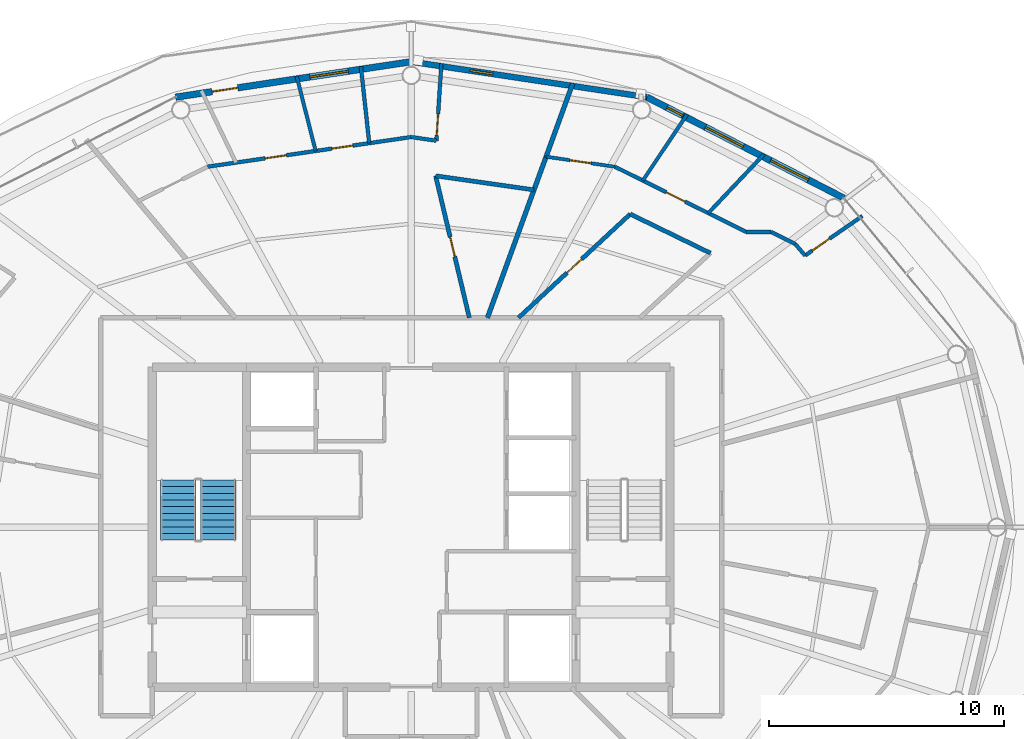
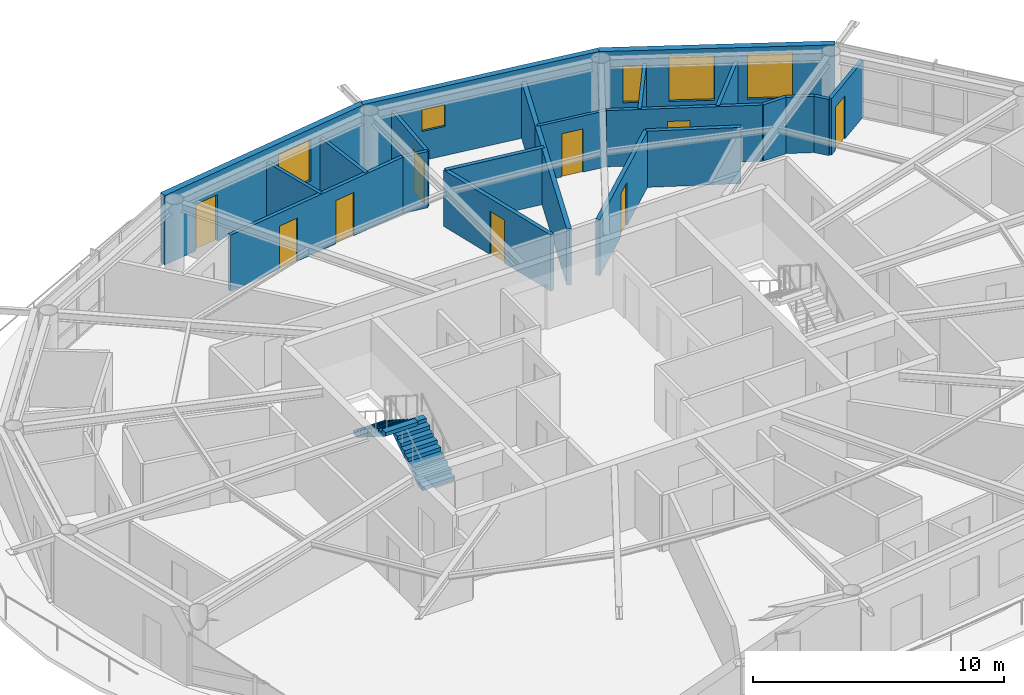
# One storey, part 19 of 23: 22 walls, 9 doors, 5 windows, 2 stair flights, 14 openings, 1 element without a shape of its own.
"""IFC4 building model written with IfcOpenShell, lengths in metres."""

from ifc_helpers import new_model, si_unit, direction, frame, frame_2d, origin, place, context, subcontext, project, spatial, polyline, rectangle, outline, extrude, material, layer, layer_set, type_object, element, fill, aggregate, save


model = new_model("IFC4")

# Units and contexts
model_context = context("Model", 3, precision=1e-05, world=origin(), true_north=direction((0.0, 1.0)))
body_context = subcontext(model_context, "Body", "Model", "MODEL_VIEW")
ifc_project = project(units=[si_unit("LENGTHUNIT", "METRE"), si_unit("AREAUNIT", "SQUARE_METRE"), si_unit("VOLUMEUNIT", "CUBIC_METRE"), si_unit("PLANEANGLEUNIT", "RADIAN"), si_unit("MASSUNIT", "GRAM", prefix="KILO")], contexts=[model_context])

# Site, building, storey
site_placement = place(None, origin())
site = spatial("IfcSite", under=ifc_project, at=site_placement, CompositionType="ELEMENT")
building_placement = place(site_placement, origin())
building = spatial("IfcBuilding", under=site, at=building_placement, Name="Sarneth Arch Tower", CompositionType="ELEMENT")
storey_placement = place(building_placement, frame((0.0, 0.0, 269.39990234375)))
storey = spatial("IfcBuildingStorey", under=building, at=storey_placement, Name="L69", CompositionType="ELEMENT", Elevation=269.39990234375)

# Wall, opening, window
ifc_material_1 = material(Name="Extruded terracotta rainscreen on Concrete C40/50 backing", Category="masonry")
ifc_layer_1 = layer(ifc_material_1, 0.25)
ifc_layer_set_1 = layer_set([ifc_layer_1], Name="Extruded terracotta rainscreen on Concrete C40/50 backing")
wall_type_1 = type_object("IfcWallType", Name="WALL-EXT-SPAND-250", PredefinedType="SOLIDWALL", material=ifc_layer_set_1)
wall_1_placement = place(storey_placement, frame((58.0126953125, 60.2744140625, 0.0), z_axis=(0.0, 0.0, 1.0), x_axis=(-0.988882522213, 0.148698881169, 0.0)))
wall_1 = element("IfcWall", 1, at=wall_1_placement, inside=storey, type_object=wall_type_1, Name="L69 Terracotta perimeter wall 04", PredefinedType="SOLIDWALL", context=body_context, shape_type="SweptSolid", body=[
    extrude(rectangle(XDim=10.125244140625, YDim=0.25, at=frame_2d((5.0625, 0.0))), origin(), (0.0, 0.0, 1.0), 3.3701171875),
])
opening_1_placement = place(wall_1_placement, frame((6.614013671875, 0.0, 1.419921875)))
opening_1 = element("IfcOpeningElement", 2, at=opening_1_placement, cuts=wall_1, Name="Opening W-14", PredefinedType="OPENING", context=body_context, shape_type="SweptSolid", body=[
    extrude(rectangle(XDim=1.0, YDim=1.050048828125, at=frame_2d((0.5, 0.52490234375))), frame((0.0, 0.135009765625, 0.0), z_axis=(0.0, -1.0, 0.0), x_axis=(1.0, 0.0, 0.0)), (0.0, 0.0, 1.0), 0.27001953125),
])
ifc_material_2 = material(Name="Thermally broken Aluminium 6063-T6 and low-e laminated IGU", Category="aluminium")
window_type_1 = type_object("IfcWindowType", Name="WIN-TWR-1000x1050", PartitioningType="SINGLE_PANEL", PredefinedType="WINDOW", material=ifc_material_2)
window_1_placement = place(opening_1_placement, origin())
window_1 = element("IfcWindow", 3, at=window_1_placement, inside=storey, type_object=window_type_1, Name="L69 Dwelling bedroom window 02", OverallHeight=1.050048828125, OverallWidth=1.0, PartitioningType="SINGLE_PANEL", PredefinedType="WINDOW", context=body_context, shape_type="SweptSolid", body=[
    extrude(rectangle(XDim=1.0, YDim=1.050048828125, at=frame_2d((0.5, 0.52490234375))), frame((0.0, 0.030029296875, 0.0), z_axis=(0.0, -1.0, 0.0), x_axis=(1.0, 0.0, 0.0)), (0.0, 0.0, 1.0), 0.06005859375),
])
fill(opening_1, window_1)

# Wall, openings, windows
ifc_material_3 = material(Name="Extruded terracotta rainscreen on Concrete C40/50 backing", Category="masonry")
ifc_layer_2 = layer(ifc_material_3, 0.280029296875)
ifc_layer_set_2 = layer_set([ifc_layer_2], Name="Extruded terracotta rainscreen on Concrete C40/50 backing")
wall_type_2 = type_object("IfcWallType", Name="WALL-EXT-TERRA-280", PredefinedType="SOLIDWALL", material=ifc_layer_set_2)
wall_2_placement = place(storey_placement, frame((66.382568359375, 55.986572265625, 0.0), z_axis=(0.0, 0.0, 1.0), x_axis=(-0.890007394051, 0.455946091699, 0.0)))
wall_2 = element("IfcWall", 4, at=wall_2_placement, inside=storey, type_object=wall_type_2, Name="L69 Terracotta perimeter wall 03", PredefinedType="SOLIDWALL", context=body_context, shape_type="SweptSolid", body=[
    extrude(rectangle(XDim=9.404296875, YDim=0.280029296875, at=frame_2d((4.7021484375, 0.0))), origin(), (0.0, 0.0, 1.0), 3.3701171875),
])
opening_2_placement = place(wall_2_placement, frame((1.6962890625, 0.0, 0.85009765625)))
opening_2 = element("IfcOpeningElement", 5, at=opening_2_placement, cuts=wall_2, Name="Opening W-04", PredefinedType="OPENING", context=body_context, shape_type="SweptSolid", body=[
    extrude(rectangle(XDim=1.800048828125, YDim=2.199951171875, at=frame_2d((0.89990234375, 1.10009765625))), frame((0.0, 0.14990234375, 0.0), z_axis=(0.0, -1.0, 0.0), x_axis=(1.0, 0.0, 0.0)), (0.0, 0.0, 1.0), 0.300048828125),
])
opening_3_placement = place(wall_2_placement, frame((4.808837890625, 0.0, 0.85009765625)))
opening_3 = element("IfcOpeningElement", 6, at=opening_3_placement, cuts=wall_2, Name="Opening W-04", PredefinedType="OPENING", context=body_context, shape_type="SweptSolid", body=[
    extrude(rectangle(XDim=1.800048828125, YDim=2.199951171875, at=frame_2d((0.89990234375, 1.10009765625))), frame((0.0, 0.14990234375, 0.0), z_axis=(0.0, -1.0, 0.0), x_axis=(1.0, 0.0, 0.0)), (0.0, 0.0, 1.0), 0.300048828125),
])
opening_4_placement = place(wall_2_placement, frame((7.690673828125, 0.0, 0.85009765625)))
opening_4 = element("IfcOpeningElement", 7, at=opening_4_placement, cuts=wall_2, Name="Opening W-13", PredefinedType="OPENING", context=body_context, shape_type="SweptSolid", body=[
    extrude(rectangle(XDim=0.75, YDim=1.800048828125, at=frame_2d((0.375, 0.89990234375))), frame((0.0, 0.14990234375, 0.0), z_axis=(0.0, -1.0, 0.0), x_axis=(1.0, 0.0, 0.0)), (0.0, 0.0, 1.0), 0.300048828125),
])
ifc_material_4 = material(Name="Thermally broken Aluminium 6063-T6 and low-e laminated IGU", Category="aluminium")
window_type_2 = type_object("IfcWindowType", Name="WIN-TWR-1800x2200", PartitioningType="DOUBLE_PANEL_VERTICAL", PredefinedType="WINDOW", material=ifc_material_4)
window_2_placement = place(opening_2_placement, origin())
window_2 = element("IfcWindow", 8, at=window_2_placement, inside=storey, type_object=window_type_2, Name="L69 Exterior window 03A", OverallHeight=2.199951171875, OverallWidth=1.800048828125, PartitioningType="SINGLE_PANEL", PredefinedType="WINDOW", context=body_context, shape_type="SweptSolid", body=[
    extrude(rectangle(XDim=1.800048828125, YDim=2.199951171875, at=frame_2d((0.89990234375, 1.10009765625))), frame((0.0, 0.030029296875, 0.0), z_axis=(0.0, -1.0, 0.0), x_axis=(1.0, 0.0, 0.0)), (0.0, 0.0, 1.0), 0.06005859375),
])
fill(opening_2, window_2)
window_3_placement = place(opening_3_placement, origin())
window_3 = element("IfcWindow", 9, at=window_3_placement, inside=storey, type_object=window_type_2, Name="L69 Exterior window 03B", OverallHeight=2.199951171875, OverallWidth=1.800048828125, PartitioningType="SINGLE_PANEL", PredefinedType="WINDOW", context=body_context, shape_type="SweptSolid", body=[
    extrude(rectangle(XDim=1.800048828125, YDim=2.199951171875, at=frame_2d((0.89990234375, 1.10009765625))), frame((0.0, 0.030029296875, 0.0), z_axis=(0.0, -1.0, 0.0), x_axis=(1.0, 0.0, 0.0)), (0.0, 0.0, 1.0), 0.06005859375),
])
fill(opening_3, window_3)
ifc_material_5 = material(Name="Thermally broken Aluminium 6063-T6 and low-e laminated IGU", Category="aluminium")
window_type_3 = type_object("IfcWindowType", Name="WIN-TWR-750x1800", PartitioningType="SINGLE_PANEL", PredefinedType="WINDOW", material=ifc_material_5)
window_4_placement = place(opening_4_placement, origin())
window_4 = element("IfcWindow", 10, at=window_4_placement, inside=storey, type_object=window_type_3, Name="L69 Dwelling bedroom window 01", OverallHeight=1.800048828125, OverallWidth=0.75, PartitioningType="SINGLE_PANEL", PredefinedType="WINDOW", context=body_context, shape_type="SweptSolid", body=[
    extrude(rectangle(XDim=0.75, YDim=1.800048828125, at=frame_2d((0.375, 0.89990234375))), frame((0.0, 0.030029296875, 0.0), z_axis=(0.0, -1.0, 0.0), x_axis=(1.0, 0.0, 0.0)), (0.0, 0.0, 1.0), 0.06005859375),
])
fill(opening_4, window_4)

# Wall, openings, door, window
wall_3_placement = place(storey_placement, frame((48.0, 61.780029296875, 0.0), z_axis=(0.0, 0.0, 1.0), x_axis=(-0.988882522213, -0.148698881169, 0.0)))
wall_3 = element("IfcWall", 11, at=wall_3_placement, inside=storey, type_object=wall_type_2, Name="L69 Terracotta perimeter wall 05", PredefinedType="SOLIDWALL", context=body_context, shape_type="SweptSolid", body=[
    extrude(rectangle(XDim=10.125244140625, YDim=0.280029296875, at=frame_2d((5.0625, 0.0))), origin(), (0.0, 0.0, 1.0), 3.3701171875),
])
opening_5_placement = place(wall_3_placement, frame((2.7001953125, 0.0, 0.85009765625)))
opening_5 = element("IfcOpeningElement", 12, at=opening_5_placement, cuts=wall_3, Name="Opening W-05", PredefinedType="OPENING", context=body_context, shape_type="SweptSolid", body=[
    extrude(rectangle(XDim=1.64990234375, YDim=2.0, at=frame_2d((0.824951171875, 1.0))), frame((0.0, 0.14990234375, 0.0), z_axis=(0.0, -1.0, 0.0), x_axis=(1.0, 0.0, 0.0)), (0.0, 0.0, 1.0), 0.300048828125),
])
opening_6_placement = place(wall_3_placement, frame((7.45556640625, 0.0, 0.0)))
opening_6 = element("IfcOpeningElement", 13, at=opening_6_placement, cuts=wall_3, Name="Opening BD-3", PredefinedType="OPENING", context=body_context, shape_type="SweptSolid", body=[
    extrude(rectangle(XDim=1.10009765625, YDim=2.25, at=frame_2d((0.550048828125, 1.125))), frame((0.0, 0.14990234375, 0.0), z_axis=(0.0, -1.0, 0.0), x_axis=(1.0, 0.0, 0.0)), (0.0, 0.0, 1.0), 0.300048828125),
])
ifc_material_6 = material(Name="Thermally broken Aluminium 6063-T6 and laminated safety glass", Category="aluminium")
door_type_1 = type_object("IfcDoorType", Name="DR-BALC-GLZ-1100", OperationType="SINGLE_SWING_LEFT", PredefinedType="DOOR", material=ifc_material_6)
door_1_placement = place(opening_6_placement, origin())
door_1 = element("IfcDoor", 14, at=door_1_placement, inside=storey, type_object=door_type_1, Name="L69 Balcony glazed door 05", OperationType="SINGLE_SWING_LEFT", OverallHeight=2.25, OverallWidth=1.10009765625, PredefinedType="DOOR", context=body_context, shape_type="SweptSolid", body=[
    extrude(rectangle(XDim=1.10009765625, YDim=2.25, at=frame_2d((0.550048828125, 1.125))), frame((0.0, 0.02490234375, 0.0), z_axis=(0.0, -1.0, 0.0), x_axis=(1.0, 0.0, 0.0)), (0.0, 0.0, 1.0), 0.050048828125),
])
fill(opening_6, door_1)
ifc_material_7 = material(Name="Thermally broken Aluminium 6063-T6 and low-e laminated IGU", Category="aluminium")
window_type_4 = type_object("IfcWindowType", Name="WIN-TWR-1650x2000", PartitioningType="DOUBLE_PANEL_VERTICAL", PredefinedType="WINDOW", material=ifc_material_7)
window_5_placement = place(opening_5_placement, origin())
window_5 = element("IfcWindow", 15, at=window_5_placement, inside=storey, type_object=window_type_4, Name="L69 Exterior window 05A", OverallHeight=2.0, OverallWidth=1.64990234375, PartitioningType="SINGLE_PANEL", PredefinedType="WINDOW", context=body_context, shape_type="SweptSolid", body=[
    extrude(rectangle(XDim=1.64990234375, YDim=2.0, at=frame_2d((0.824951171875, 1.0))), frame((0.0, 0.030029296875, 0.0), z_axis=(0.0, -1.0, 0.0), x_axis=(1.0, 0.0, 0.0)), (0.0, 0.0, 1.0), 0.06005859375),
])
fill(opening_5, window_5)

# Wall, opening, door
ifc_material_8 = material(Name="Apartment internal stud partition", Category="gypsum")
ifc_layer_3 = layer(ifc_material_8, 0.139892578125)
ifc_layer_set_3 = layer_set([ifc_layer_3], Name="Apartment internal stud partition")
wall_type_3 = type_object("IfcWallType", Name="WALL-PART-140", PredefinedType="PARTITIONING", material=ifc_layer_set_3)
wall_4_placement = place(storey_placement, frame((53.73046875, 57.744384765625, 0.0), z_axis=(0.0, 0.0, 1.0), x_axis=(0.989530523264, -0.144323745545, 0.0)))
wall_4 = element("IfcWall", 16, at=wall_4_placement, inside=storey, type_object=wall_type_3, Name="L69 Interior partition W-L69-TP-033", PredefinedType="PARTITIONING", context=body_context, shape_type="SweptSolid", body=[
    extrude(rectangle(XDim=2.955322265625, YDim=0.139892578125, at=frame_2d((1.4775390625, 0.0))), origin(), (0.0, 0.0, 1.0), 2.72998046875),
])
opening_7_placement = place(wall_4_placement, frame((1.027587890625, 0.0, 0.0)))
opening_7 = element("IfcOpeningElement", 17, at=opening_7_placement, cuts=wall_4, Name="Opening ID-01", PredefinedType="OPENING", context=body_context, shape_type="SweptSolid", body=[
    extrude(rectangle(XDim=0.89990234375, YDim=2.10009765625, at=frame_2d((0.449951171875, 1.050048828125))), frame((0.0, 0.079833984375, 0.0), z_axis=(0.0, -1.0, 0.0), x_axis=(1.0, 0.0, 0.0)), (0.0, 0.0, 1.0), 0.159912109375),
])
ifc_material_9 = material(Name="Engineered hardwood flush door", Category="wood")
door_type_2 = type_object("IfcDoorType", Name="DR-INT-900", OperationType="SINGLE_SWING_LEFT", PredefinedType="DOOR", material=ifc_material_9)
door_2_placement = place(opening_7_placement, origin())
door_2 = element("IfcDoor", 18, at=door_2_placement, inside=storey, type_object=door_type_2, Name="L69 Interior door DR-L69-U1-BED2", OperationType="SINGLE_SWING_LEFT", OverallHeight=2.10009765625, OverallWidth=0.89990234375, PredefinedType="DOOR", context=body_context, shape_type="SweptSolid", body=[
    extrude(rectangle(XDim=0.89990234375, YDim=2.10009765625, at=frame_2d((0.449951171875, 1.050048828125))), frame((0.0, 0.02490234375, 0.0), z_axis=(0.0, -1.0, 0.0), x_axis=(1.0, 0.0, 0.0)), (0.0, 0.0, 1.0), 0.050048828125),
])
fill(opening_7, door_2)

# Walls
ifc_material_10 = material(Name="Acoustic gypsum stud partition", Category="gypsum")
ifc_layer_4 = layer(ifc_material_10, 0.14990234375)
ifc_layer_set_4 = layer_set([ifc_layer_4], Name="Acoustic gypsum stud partition")
wall_type_4 = type_object("IfcWallType", Name="WALL-PART-150", PredefinedType="PARTITIONING", material=ifc_layer_set_4)
wall_5_placement = place(storey_placement, frame((59.716796875, 59.535400390625, 0.0), z_axis=(0.0, 0.0, 1.0), x_axis=(-0.555567743092, -0.831471276013, 0.0)))
element("IfcWall", 19, at=wall_5_placement, inside=storey, type_object=wall_type_4, Name="L69 Interior partition W-L69-TP-040", PredefinedType="PARTITIONING", context=body_context, shape_type="SweptSolid", body=[
    extrude(rectangle(XDim=3.375732421875, YDim=0.14990234375, at=frame_2d((1.68798828125, 0.0))), origin(), (0.0, 0.0, 1.0), 2.72998046875),
])
wall_6_placement = place(storey_placement, frame((43.131591796875, 61.168701171875, 0.0), z_axis=(0.0, 0.0, 1.0), x_axis=(0.246087289335, -0.969247670117, 0.0)))
element("IfcWall", 20, at=wall_6_placement, inside=storey, type_object=wall_type_4, Name="L69 Interior partition W-L69-TP-053", PredefinedType="PARTITIONING", context=body_context, shape_type="SweptSolid", body=[
    extrude(rectangle(XDim=3.28173828125, YDim=0.14990234375, at=frame_2d((1.640869140625, 0.0))), origin(), (0.0, 0.0, 1.0), 2.72998046875),
])

# Wall, openings, doors
ifc_material_11 = material(Name="Kitchen wet service chase wall", Category="gypsum")
ifc_layer_5 = layer(ifc_material_11, 0.159912109375)
ifc_layer_set_5 = layer_set([ifc_layer_5], Name="Kitchen wet service chase wall")
wall_type_5 = type_object("IfcWallType", Name="WALL-PLUMB-160", PredefinedType="PLUMBINGWALL", material=ifc_layer_set_5)
wall_7_placement = place(storey_placement, frame((39.34521484375, 57.318115234375, 0.0), z_axis=(0.0, 0.0, 1.0), x_axis=(0.989536136377, 0.144285254977, 0.0)))
wall_7 = element("IfcWall", 21, at=wall_7_placement, inside=storey, type_object=wall_type_5, Name="L69 Interior partition W-L69-TP-048", PredefinedType="PLUMBINGWALL", context=body_context, shape_type="SweptSolid", body=[
    extrude(rectangle(XDim=8.746337890625, YDim=0.159912109375, at=frame_2d((4.373046875, 0.0))), origin(), (0.0, 0.0, 1.0), 2.72998046875),
])
opening_8_placement = place(wall_7_placement, frame((2.4814453125, 0.0, 0.0)))
opening_8 = element("IfcOpeningElement", 22, at=opening_8_placement, cuts=wall_7, Name="Opening ID-01", PredefinedType="OPENING", context=body_context, shape_type="SweptSolid", body=[
    extrude(rectangle(XDim=0.89990234375, YDim=2.10009765625, at=frame_2d((0.449951171875, 1.050048828125))), frame((0.0, 0.08984375, 0.0), z_axis=(0.0, -1.0, 0.0), x_axis=(1.0, 0.0, 0.0)), (0.0, 0.0, 1.0), 0.179931640625),
])
opening_9_placement = place(wall_7_placement, frame((5.343505859375, 0.0, 0.0)))
opening_9 = element("IfcOpeningElement", 23, at=opening_9_placement, cuts=wall_7, Name="Opening ID-01", PredefinedType="OPENING", context=body_context, shape_type="SweptSolid", body=[
    extrude(rectangle(XDim=0.89990234375, YDim=2.10009765625, at=frame_2d((0.449951171875, 1.050048828125))), frame((0.0, 0.08984375, 0.0), z_axis=(0.0, -1.0, 0.0), x_axis=(1.0, 0.0, 0.0)), (0.0, 0.0, 1.0), 0.179931640625),
])
door_3_placement = place(opening_8_placement, origin())
door_3 = element("IfcDoor", 24, at=door_3_placement, inside=storey, type_object=door_type_2, Name="L69 Interior door DR-L69-U2-BED2", OperationType="SINGLE_SWING_RIGHT", OverallHeight=2.10009765625, OverallWidth=0.89990234375, PredefinedType="DOOR", context=body_context, shape_type="SweptSolid", body=[
    extrude(rectangle(XDim=0.89990234375, YDim=2.10009765625, at=frame_2d((0.449951171875, 1.050048828125))), frame((0.0, 0.02490234375, 0.0), z_axis=(0.0, -1.0, 0.0), x_axis=(1.0, 0.0, 0.0)), (0.0, 0.0, 1.0), 0.050048828125),
])
fill(opening_8, door_3)
door_4_placement = place(opening_9_placement, origin())
door_4 = element("IfcDoor", 25, at=door_4_placement, inside=storey, type_object=door_type_2, Name="L69 Interior door DR-L69-U2-BED1", OperationType="SINGLE_SWING_LEFT", OverallHeight=2.10009765625, OverallWidth=0.89990234375, PredefinedType="DOOR", context=body_context, shape_type="SweptSolid", body=[
    extrude(rectangle(XDim=0.89990234375, YDim=2.10009765625, at=frame_2d((0.449951171875, 1.050048828125))), frame((0.0, 0.02490234375, 0.0), z_axis=(0.0, -1.0, 0.0), x_axis=(1.0, 0.0, 0.0)), (0.0, 0.0, 1.0), 0.050048828125),
])
fill(opening_9, door_4)

# Wall
wall_8_placement = place(storey_placement, frame((60.623046875, 55.3466796875, 0.0), z_axis=(0.0, 0.0, 1.0), x_axis=(0.687190766796, 0.726477012734, 0.0)))
element("IfcWall", 26, at=wall_8_placement, inside=storey, type_object=wall_type_5, Name="L69 Interior partition W-L69-TP-039", PredefinedType="PLUMBINGWALL", context=body_context, shape_type="SweptSolid", body=[
    extrude(rectangle(XDim=3.448974609375, YDim=0.159912109375, at=frame_2d((1.724609375, 0.0))), origin(), (0.0, 0.0, 1.0), 2.72998046875),
])

# Wall, opening, door
wall_9_placement = place(storey_placement, frame((49.282958984375, 61.7080078125, 0.0), z_axis=(0.0, 0.0, 1.0), x_axis=(-0.064987599341, -0.997886071619, 0.0)))
wall_9 = element("IfcWall", 27, at=wall_9_placement, inside=storey, type_object=wall_type_5, Name="L69 Interior partition W-L69-TP-042", PredefinedType="PLUMBINGWALL", context=body_context, shape_type="SweptSolid", body=[
    extrude(rectangle(XDim=3.290771484375, YDim=0.159912109375, at=frame_2d((1.6455078125, 0.0))), origin(), (0.0, 0.0, 1.0), 2.72998046875),
])
opening_10_placement = place(wall_9_placement, frame((2.155517578125, 0.0, 0.0)))
opening_10 = element("IfcOpeningElement", 28, at=opening_10_placement, cuts=wall_9, Name="Opening ID-01", PredefinedType="OPENING", context=body_context, shape_type="SweptSolid", body=[
    extrude(rectangle(XDim=0.89990234375, YDim=2.10009765625, at=frame_2d((0.449951171875, 1.050048828125))), frame((0.0, 0.08984375, 0.0), z_axis=(0.0, -1.0, 0.0), x_axis=(1.0, 0.0, 0.0)), (0.0, 0.0, 1.0), 0.179931640625),
])
door_5_placement = place(opening_10_placement, origin())
door_5 = element("IfcDoor", 29, at=door_5_placement, inside=storey, type_object=door_type_2, Name="L69 Interior door DR-L69-U2-KIT", OperationType="SINGLE_SWING_RIGHT", OverallHeight=2.10009765625, OverallWidth=0.89990234375, PredefinedType="DOOR", context=body_context, shape_type="SweptSolid", body=[
    extrude(rectangle(XDim=0.89990234375, YDim=2.10009765625, at=frame_2d((0.449951171875, 1.050048828125))), frame((0.0, 0.02490234375, 0.0), z_axis=(0.0, -1.0, 0.0), x_axis=(1.0, 0.0, 0.0)), (0.0, 0.0, 1.0), 0.050048828125),
])
fill(opening_10, door_5)

# Wall
wall_10_placement = place(storey_placement, frame((46.217041015625, 58.320068359375, 0.0), z_axis=(0.0, 0.0, 1.0), x_axis=(-0.108559889868, 0.994089910577, 0.0)))
element("IfcWall", 30, at=wall_10_placement, inside=storey, type_object=wall_type_5, Name="L69 Interior partition W-L69-TP-052", PredefinedType="PLUMBINGWALL", context=body_context, shape_type="SweptSolid", body=[
    extrude(rectangle(XDim=3.27880859375, YDim=0.159912109375, at=frame_2d((1.639404296875, 0.0))), origin(), (0.0, 0.0, 1.0), 2.72998046875),
])

# Wall, opening, door
wall_11_placement = place(storey_placement, frame((56.655029296875, 57.318115234375, 0.0), z_axis=(0.0, 0.0, 1.0), x_axis=(0.89555447129, -0.444951895099, 0.0)))
wall_11 = element("IfcWall", 31, at=wall_11_placement, inside=storey, type_object=wall_type_5, Name="L69 Interior partition W-L69-TP-032", PredefinedType="PLUMBINGWALL", context=body_context, shape_type="SweptSolid", body=[
    extrude(rectangle(XDim=6.2216796875, YDim=0.159912109375, at=frame_2d((3.11083984375, 0.0))), origin(), (0.0, 0.0, 1.0), 2.72998046875),
])
opening_11_placement = place(wall_11_placement, frame((2.428466796875, 0.0, 0.0)))
opening_11 = element("IfcOpeningElement", 32, at=opening_11_placement, cuts=wall_11, Name="Opening ID-01", PredefinedType="OPENING", context=body_context, shape_type="SweptSolid", body=[
    extrude(rectangle(XDim=0.89990234375, YDim=2.10009765625, at=frame_2d((0.449951171875, 1.050048828125))), frame((0.0, 0.08984375, 0.0), z_axis=(0.0, -1.0, 0.0), x_axis=(1.0, 0.0, 0.0)), (0.0, 0.0, 1.0), 0.179931640625),
])
door_6_placement = place(opening_11_placement, origin())
door_6 = element("IfcDoor", 33, at=door_6_placement, inside=storey, type_object=door_type_2, Name="L69 Interior door DR-L69-U1-BED1", OperationType="SINGLE_SWING_RIGHT", OverallHeight=2.10009765625, OverallWidth=0.89990234375, PredefinedType="DOOR", context=body_context, shape_type="SweptSolid", body=[
    extrude(rectangle(XDim=0.89990234375, YDim=2.10009765625, at=frame_2d((0.449951171875, 1.050048828125))), frame((0.0, 0.02490234375, 0.0), z_axis=(0.0, -1.0, 0.0), x_axis=(1.0, 0.0, 0.0)), (0.0, 0.0, 1.0), 0.050048828125),
])
fill(opening_11, door_6)

wall_12_placement = place(storey_placement, frame((67.168701171875, 55.22412109375, 0.0), z_axis=(0.0, 0.0, 1.0), x_axis=(-0.823115625857, -0.567873812101, 0.0)))
wall_12 = element("IfcWall", 34, at=wall_12_placement, inside=storey, type_object=wall_type_5, Name="L69 Interior partition W-L69-TP-024", PredefinedType="PLUMBINGWALL", context=body_context, shape_type="SweptSolid", body=[
    extrude(rectangle(XDim=2.95654296875, YDim=0.159912109375, at=frame_2d((1.478271484375, 0.0))), origin(), (0.0, 0.0, 1.0), 2.72998046875),
])
opening_12_placement = place(wall_12_placement, frame((1.688232421875, 0.0, 0.0)))
opening_12 = element("IfcOpeningElement", 35, at=opening_12_placement, cuts=wall_12, Name="Opening ID-01", PredefinedType="OPENING", context=body_context, shape_type="SweptSolid", body=[
    extrude(rectangle(XDim=0.89990234375, YDim=2.10009765625, at=frame_2d((0.449951171875, 1.050048828125))), frame((0.0, 0.08984375, 0.0), z_axis=(0.0, -1.0, 0.0), x_axis=(1.0, 0.0, 0.0)), (0.0, 0.0, 1.0), 0.179931640625),
])
door_7_placement = place(opening_12_placement, origin())
door_7 = element("IfcDoor", 36, at=door_7_placement, inside=storey, type_object=door_type_2, Name="L69 Interior door DR-L69-U1-KIT", OperationType="SINGLE_SWING_RIGHT", OverallHeight=2.10009765625, OverallWidth=0.89990234375, PredefinedType="DOOR", context=body_context, shape_type="SweptSolid", body=[
    extrude(rectangle(XDim=0.89990234375, YDim=2.10009765625, at=frame_2d((0.449951171875, 1.050048828125))), frame((0.0, 0.02490234375, 0.0), z_axis=(0.0, -1.0, 0.0), x_axis=(1.0, 0.0, 0.0)), (0.0, 0.0, 1.0), 0.050048828125),
])
fill(opening_12, door_7)

# Walls
wall_13_placement = place(storey_placement, frame((64.31103515625, 54.0419921875, 0.0), z_axis=(0.0, 0.0, 1.0), x_axis=(-0.895409226325, 0.445244109912, 0.0)))
element("IfcWall", 37, at=wall_13_placement, inside=storey, type_object=wall_type_5, Name="L69 Interior partition W-L69-TP-026", PredefinedType="PLUMBINGWALL", context=body_context, shape_type="SweptSolid", body=[
    extrude(rectangle(XDim=1.14111328125, YDim=0.159912109375, at=frame_2d((0.570556640625, 0.0))), origin(), (0.0, 0.0, 1.0), 2.72998046875),
])
wall_14_placement = place(storey_placement, frame((49.069091796875, 58.424072265625, 0.0), z_axis=(0.0, 0.0, 1.0), x_axis=(-0.989520204584, 0.144394476074, 0.0)))
element("IfcWall", 38, at=wall_14_placement, inside=storey, type_object=wall_type_5, Name="L69 Interior partition W-L69-TP-043", PredefinedType="PLUMBINGWALL", context=body_context, shape_type="SweptSolid", body=[
    extrude(rectangle(XDim=1.080322265625, YDim=0.159912109375, at=frame_2d((0.5400390625, 0.0))), origin(), (0.0, 0.0, 1.0), 2.72998046875),
])
wall_15_placement = place(storey_placement, frame((63.289306640625, 54.550048828125, 0.0), z_axis=(0.0, 0.0, 1.0), x_axis=(-1.0, 0.0, 0.0)))
element("IfcWall", 39, at=wall_15_placement, inside=storey, type_object=wall_type_5, Name="L69 Interior partition W-L69-TP-027", PredefinedType="PLUMBINGWALL", context=body_context, shape_type="SweptSolid", body=[
    extrude(rectangle(XDim=1.0625, YDim=0.159912109375, at=frame_2d((0.53125, 0.0))), origin(), (0.0, 0.0, 1.0), 2.72998046875),
])
wall_16_placement = place(storey_placement, frame((64.735107421875, 53.545166015625, 0.0), z_axis=(0.0, 0.0, 1.0), x_axis=(-0.649220192727, 0.760600513644, 0.0)))
element("IfcWall", 40, at=wall_16_placement, inside=storey, type_object=wall_type_5, Name="L69 Interior partition W-L69-TP-025", PredefinedType="PLUMBINGWALL", context=body_context, shape_type="SweptSolid", body=[
    extrude(rectangle(XDim=0.6533203125, YDim=0.159912109375, at=frame_2d((0.32666015625, 0.0))), origin(), (0.0, 0.0, 1.0), 2.72998046875),
])

# Wall, opening, door
ifc_material_12 = material(Name="Moisture-resistant plumbing chase wall", Category="gypsum")
ifc_layer_6 = layer(ifc_material_12, 0.179931640625)
ifc_layer_set_6 = layer_set([ifc_layer_6], Name="Moisture-resistant plumbing chase wall")
wall_type_6 = type_object("IfcWallType", Name="WALL-PLUMB-180", PredefinedType="PLUMBINGWALL", material=ifc_layer_set_6)
wall_17_placement = place(storey_placement, frame((52.557861328125, 50.89990234375, 0.0), z_axis=(0.0, 0.0, 1.0), x_axis=(0.732849863846, 0.68039038578, 0.0)))
wall_17 = element("IfcWall", 41, at=wall_17_placement, inside=storey, type_object=wall_type_6, Name="L69 Interior partition W-L69-TP-029", PredefinedType="PLUMBINGWALL", context=body_context, shape_type="SweptSolid", body=[
    extrude(rectangle(XDim=6.478271484375, YDim=0.179931640625, at=frame_2d((3.2392578125, 0.0))), origin(), (0.0, 0.0, 1.0), 2.72998046875),
])
opening_13_placement = place(wall_17_placement, frame((2.81396484375, 0.0, 0.0)))
opening_13 = element("IfcOpeningElement", 42, at=opening_13_placement, cuts=wall_17, Name="Opening ID-02", PredefinedType="OPENING", context=body_context, shape_type="SweptSolid", body=[
    extrude(rectangle(XDim=0.85009765625, YDim=2.10009765625, at=frame_2d((0.425048828125, 1.050048828125))), frame((0.0, 0.099853515625, 0.0), z_axis=(0.0, -1.0, 0.0), x_axis=(1.0, 0.0, 0.0)), (0.0, 0.0, 1.0), 0.199951171875),
])
ifc_material_13 = material(Name="Moisture-resistant bathroom timber door", Category="wood")
door_type_3 = type_object("IfcDoorType", Name="DR-INT-850", OperationType="SINGLE_SWING_RIGHT", PredefinedType="DOOR", material=ifc_material_13)
door_8_placement = place(opening_13_placement, origin())
door_8 = element("IfcDoor", 43, at=door_8_placement, inside=storey, type_object=door_type_3, Name="L69 Interior door DR-L69-U1-BATH", OperationType="SINGLE_SWING_LEFT", OverallHeight=2.10009765625, OverallWidth=0.85009765625, PredefinedType="DOOR", context=body_context, shape_type="SweptSolid", body=[
    extrude(rectangle(XDim=0.85009765625, YDim=2.10009765625, at=frame_2d((0.425048828125, 1.050048828125))), frame((0.0, 0.02490234375, 0.0), z_axis=(0.0, -1.0, 0.0), x_axis=(1.0, 0.0, 0.0)), (0.0, 0.0, 1.0), 0.050048828125),
])
fill(opening_13, door_8)

wall_18_placement = place(storey_placement, frame((50.46923828125, 50.89990234375, 0.0), z_axis=(0.0, 0.0, 1.0), x_axis=(-0.231121823084, 0.972924818727, 0.0)))
wall_18 = element("IfcWall", 44, at=wall_18_placement, inside=storey, type_object=wall_type_6, Name="L69 Interior partition W-L69-TP-045", PredefinedType="PLUMBINGWALL", context=body_context, shape_type="SweptSolid", body=[
    extrude(rectangle(XDim=6.19970703125, YDim=0.179931640625, at=frame_2d((3.099853515625, 0.0))), origin(), (0.0, 0.0, 1.0), 2.72998046875),
])
opening_14_placement = place(wall_18_placement, frame((2.6748046875, 0.0, 0.0)))
opening_14 = element("IfcOpeningElement", 45, at=opening_14_placement, cuts=wall_18, Name="Opening ID-02", PredefinedType="OPENING", context=body_context, shape_type="SweptSolid", body=[
    extrude(rectangle(XDim=0.85009765625, YDim=2.10009765625, at=frame_2d((0.425048828125, 1.050048828125))), frame((0.0, 0.099853515625, 0.0), z_axis=(0.0, -1.0, 0.0), x_axis=(1.0, 0.0, 0.0)), (0.0, 0.0, 1.0), 0.199951171875),
])
door_9_placement = place(opening_14_placement, origin())
door_9 = element("IfcDoor", 46, at=door_9_placement, inside=storey, type_object=door_type_3, Name="L69 Interior door DR-L69-U2-BATH", OperationType="SINGLE_SWING_LEFT", OverallHeight=2.10009765625, OverallWidth=0.85009765625, PredefinedType="DOOR", context=body_context, shape_type="SweptSolid", body=[
    extrude(rectangle(XDim=0.85009765625, YDim=2.10009765625, at=frame_2d((0.425048828125, 1.050048828125))), frame((0.0, 0.02490234375, 0.0), z_axis=(0.0, -1.0, 0.0), x_axis=(1.0, 0.0, 0.0)), (0.0, 0.0, 1.0), 0.050048828125),
])
fill(opening_14, door_9)

# Walls
wall_19_placement = place(storey_placement, frame((49.036376953125, 56.931640625, 0.0), z_axis=(0.0, 0.0, 1.0), x_axis=(0.989927514161, -0.141575127434, 0.0)))
element("IfcWall", 47, at=wall_19_placement, inside=storey, type_object=wall_type_6, Name="L69 Interior partition W-L69-TP-046", PredefinedType="PLUMBINGWALL", context=body_context, shape_type="SweptSolid", body=[
    extrude(rectangle(XDim=4.22314453125, YDim=0.179931640625, at=frame_2d((2.111572265625, 0.0))), origin(), (0.0, 0.0, 1.0), 2.72998046875),
])
wall_20_placement = place(storey_placement, frame((57.305419921875, 55.3076171875, 0.0), z_axis=(0.0, 0.0, 1.0), x_axis=(0.898917645735, -0.438117639667, 0.0)))
element("IfcWall", 48, at=wall_20_placement, inside=storey, type_object=wall_type_6, Name="L69 Interior partition W-L69-TP-030", PredefinedType="PLUMBINGWALL", context=body_context, shape_type="SweptSolid", body=[
    extrude(rectangle(XDim=3.788818359375, YDim=0.179931640625, at=frame_2d((1.89453125, 0.0))), origin(), (0.0, 0.0, 1.0), 2.72998046875),
])
ifc_material_14 = material(Name="Double steel-stud acoustic drywall", Category="steel")
ifc_layer_7 = layer(ifc_material_14, 0.199951171875)
ifc_layer_set_7 = layer_set([ifc_layer_7], Name="Double steel-stud acoustic drywall")
wall_type_7 = type_object("IfcWallType", Name="WALL-UNIT-200", PredefinedType="PARTITIONING", material=ifc_layer_set_7)
wall_21_placement = place(storey_placement, frame((51.2392578125, 50.89990234375, 0.0), z_axis=(0.0, 0.0, 1.0), x_axis=(0.342027045015, 0.939690108748, 0.0)))
element("IfcWall", 49, at=wall_21_placement, inside=storey, type_object=wall_type_7, Name="L69 Interior partition W-L69-TP-036", PredefinedType="PARTITIONING", context=body_context, shape_type="SweptSolid", body=[
    extrude(rectangle(XDim=7.31640625, YDim=0.199951171875, at=frame_2d((3.658203125, 0.0))), origin(), (0.0, 0.0, 1.0), 2.72998046875),
])
wall_22_placement = place(storey_placement, frame((54.86669921875, 60.866455078125, 0.0), z_axis=(0.0, 0.0, 1.0), x_axis=(-0.342000121366, -0.939699907942, 0.0)))
element("IfcWall", 50, at=wall_22_placement, inside=storey, type_object=wall_type_7, Name="L69 Interior partition W-L69-TP-041", PredefinedType="PARTITIONING", context=body_context, shape_type="SweptSolid", body=[
    extrude(rectangle(XDim=3.355224609375, YDim=0.199951171875, at=frame_2d((1.677734375, 0.0))), origin(), (0.0, 0.0, 1.0), 2.72998046875),
])

# Stair, stair flights
ifc_material_15 = material(Name="Concrete C50/60", Category="concrete")
stair_type = type_object("IfcStairType", Name="STAIR-CORE-RC", PredefinedType="HALF_TURN_STAIR", material=ifc_material_15)
stair_placement = place(storey_placement, origin())
stair = element("IfcStair", 51, at=stair_placement, inside=storey, type_object=stair_type, Name="L69 Core Exit Stair 1", PredefinedType="HALF_TURN_STAIR")
ifc_material_16 = material(Name="Concrete C50/60", Category="concrete")
stair_flight_type = type_object("IfcStairFlightType", Name="FLIGHT-RC-1500", PredefinedType="STRAIGHT", material=ifc_material_16)
stair_flight_1_placement = place(storey_placement, frame((39.800048828125, 41.449951171875, 0.0), z_axis=(0.0, 0.0, 1.0), x_axis=(0.0, 1.0, 0.0)))
stair_flight_1 = element("IfcStairFlight", 52, at=stair_flight_1_placement, type_object=stair_flight_type, Name="ST-1 flight 1", NumberOfRisers=10, NumberOfTreads=9, PredefinedType="STRAIGHT", RiserHeight=0.18, TreadLength=0.285, context=body_context, shape_type="SweptSolid", body=[
    extrude(outline(polyline([(0.0, 0.0), (0.0, 0.179931640625), (0.284912109375, 0.179931640625), (0.284912109375, 0.360107421875), (0.570068359375, 0.360107421875), (0.570068359375, 0.5400390625), (0.85498046875, 0.5400390625), (0.85498046875, 0.719970703125), (1.139892578125, 0.719970703125), (1.139892578125, 0.89990234375), (1.425048828125, 0.89990234375), (1.425048828125, 1.080078125), (1.7099609375, 1.080078125), (1.7099609375, 1.260009765625), (1.9951171875, 1.260009765625), (1.9951171875, 1.43994140625), (2.280029296875, 1.43994140625), (2.280029296875, 1.6201171875), (2.56494140625, 1.6201171875), (2.56494140625, 1.800048828125), (2.56494140625, 1.442626953125), (0.28076171875, 0.0), (0.0, 0.0)])), frame((0.0, 0.75, 0.0), z_axis=(0.0, -1.0, 0.0), x_axis=(1.0, 0.0, 0.0)), (0.0, 0.0, 1.0), 1.5),
])
stair_flight_2_placement = place(storey_placement, frame((38.10009765625, 44.014892578125, 1.800048828125), z_axis=(0.0, 0.0, 1.0), x_axis=(0.0, -1.0, 0.0)))
stair_flight_2 = element("IfcStairFlight", 53, at=stair_flight_2_placement, type_object=stair_flight_type, Name="ST-1 flight 2", NumberOfRisers=10, NumberOfTreads=9, PredefinedType="STRAIGHT", RiserHeight=0.18, TreadLength=0.285, context=body_context, shape_type="SweptSolid", body=[
    extrude(outline(polyline([(0.0, 0.0), (0.0, 0.179931640625), (0.284912109375, 0.179931640625), (0.284912109375, 0.360107421875), (0.570068359375, 0.360107421875), (0.570068359375, 0.5400390625), (0.85498046875, 0.5400390625), (0.85498046875, 0.719970703125), (1.139892578125, 0.719970703125), (1.139892578125, 0.89990234375), (1.425048828125, 0.89990234375), (1.425048828125, 1.080078125), (1.7099609375, 1.080078125), (1.7099609375, 1.260009765625), (1.9951171875, 1.260009765625), (1.9951171875, 1.43994140625), (2.280029296875, 1.43994140625), (2.280029296875, 1.6201171875), (2.56494140625, 1.6201171875), (2.56494140625, 1.800048828125), (2.56494140625, 1.442626953125), (0.28076171875, 0.0), (0.0, 0.0)])), frame((0.0, 0.75, 0.0), z_axis=(0.0, -1.0, 0.0), x_axis=(1.0, 0.0, 0.0)), (0.0, 0.0, 1.0), 1.5),
])
aggregate(stair, [stair_flight_1, stair_flight_2])

save(model, "model.ifc")
